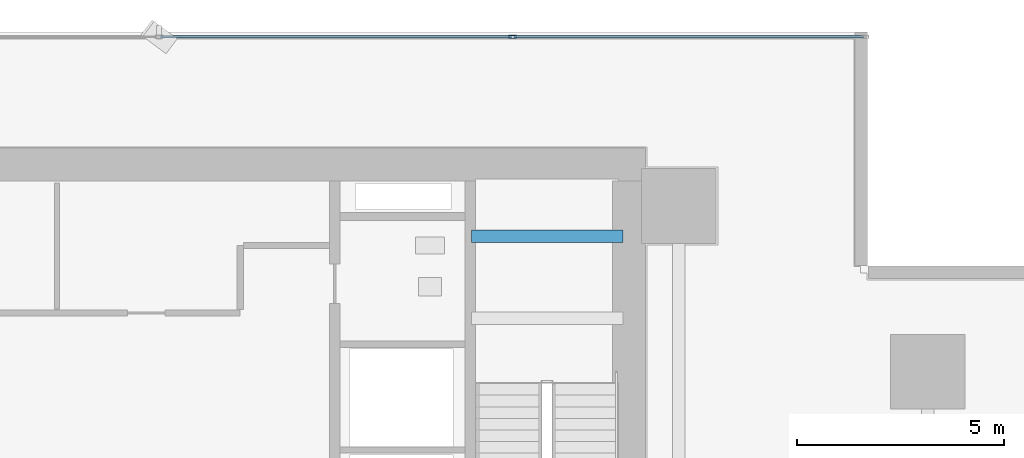
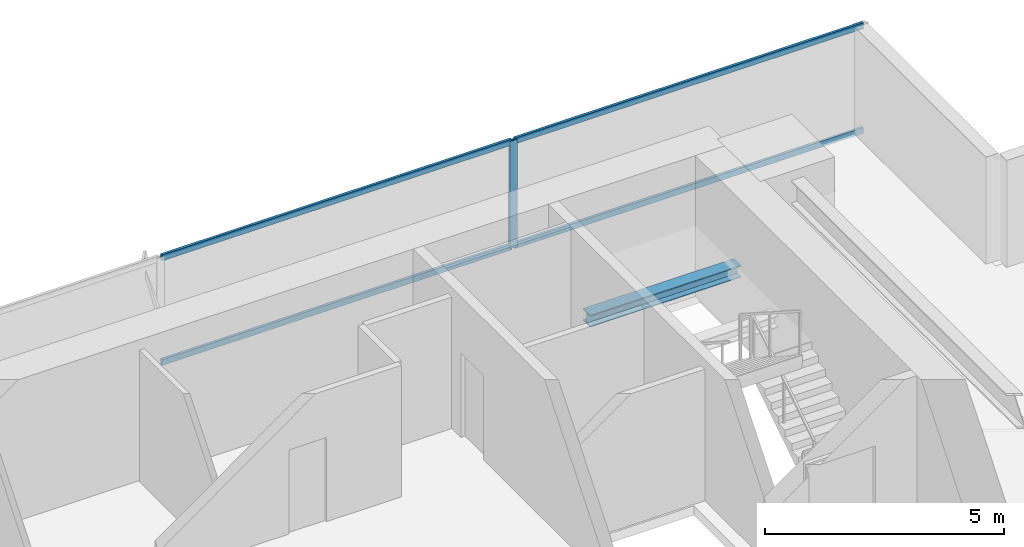
# One storey, part 22 of 34: 5 members, 1 beam, 1 element without a shape of its own.
"""IFC4 building model written with IfcOpenShell, lengths in metres."""

from ifc_helpers import new_model, si_unit, direction, frame, origin, origin_2d, place, context, subcontext, project, spatial, hollow_rectangle, i_section, extrude, source, transform, mapped, material, layer, layer_set, material_profile, profile_set, type_object, element, aggregate, save


model = new_model("IFC4")

# Units and contexts
model_context = context("Model", 3, precision=1e-05, world=origin(), true_north=direction((0.0, 1.0)))
body_context = subcontext(model_context, "Body", "Model", "MODEL_VIEW")
ifc_project = project(units=[si_unit("LENGTHUNIT", "METRE"), si_unit("AREAUNIT", "SQUARE_METRE"), si_unit("VOLUMEUNIT", "CUBIC_METRE"), si_unit("PLANEANGLEUNIT", "RADIAN"), si_unit("MASSUNIT", "GRAM", prefix="KILO")], contexts=[model_context])

# Site, building, storey
site_placement = place(None, origin())
site = spatial("IfcSite", under=ifc_project, at=site_placement, CompositionType="ELEMENT")
building_placement = place(site_placement, origin())
building = spatial("IfcBuilding", under=site, at=building_placement, Name="Sumidabori Civic Tower", CompositionType="ELEMENT")
storey_placement = place(building_placement, frame((0.0, 0.0, 34.39990234375)))
storey = spatial("IfcBuildingStorey", under=building, at=storey_placement, Name="L08", CompositionType="ELEMENT", Elevation=34.39990234375)

# Beam
ifc_material_1 = material(Name="Steel SN490", Category="steel")
ifc_material_profile_1 = material_profile(ifc_material_1, i_section(OverallWidth=0.300048828125, OverallDepth=0.300048828125, WebThickness=0.010986328125, FlangeThickness=0.01904296875, at=origin_2d()), Name="HE 300 B")
ifc_profile_set_1 = profile_set([ifc_material_profile_1], Name="Steel SN490")
beam_type = type_object("IfcBeamType", Name="BM-LDG-300", PredefinedType="BEAM", material=ifc_profile_set_1)
shared_shape_1 = source(origin(), body_context, "Body", "SweptSolid", [
    extrude(i_section(OverallWidth=0.300048828125, OverallDepth=0.300048828125, WebThickness=0.010986328125, FlangeThickness=0.01904296875, at=origin_2d()), origin(), (0.0, 0.0, 1.0), 3.64990234375),
])
beam_placement = place(storey_placement, frame((11.800048828125, 22.069580078125, 1.4501953125), z_axis=(1.0, 0.0, 0.0), x_axis=(0.0, 1.0, 0.0)))
element("IfcBeam", 1, at=beam_placement, inside=storey, type_object=beam_type, Name="Stair ST-2 Landing Trimmer Beam L08-1B", PredefinedType="BEAM", context=body_context, shape_type="MappedRepresentation", body=[
    mapped(shared_shape_1, transform((0.0, 0.0, 0.0), x_axis=(1.0, 0.0, 0.0), y_axis=(0.0, 1.0, 0.0), z_axis=(0.0, 0.0, 1.0), scale=1.0)),
])

# Curtain wall, members
ifc_material_2 = material(Name="Anodised Bronze Aluminium AW-6063-T6", Category="aluminium")
ifc_layer = layer(ifc_material_2, 0.179931640625, Name="Anodised Bronze Aluminium AW-6063-T6")
ifc_layer_set = layer_set([ifc_layer], Name="Anodised Bronze Aluminium AW-6063-T6")
curtain_wall_type = type_object("IfcCurtainWallType", Name="CW-SYS-2", PredefinedType="NOTDEFINED", material=ifc_layer_set)
curtain_wall_placement = place(storey_placement, origin())
curtain_wall = element("IfcCurtainWall", 2, at=curtain_wall_placement, inside=storey, type_object=curtain_wall_type, Name="Curtain Wall CW:L08:R07", PredefinedType="NOTDEFINED")
ifc_material_profile_2 = material_profile(ifc_material_2, hollow_rectangle(XDim=0.070068359375, YDim=0.179931640625, WallThickness=0.006103515625, at=origin_2d()), Name="ALU MULLION 180x70")
ifc_profile_set_2 = profile_set([ifc_material_profile_2], Name="Anodised Bronze Aluminium AW-6063-T6")
member_type_1 = type_object("IfcMemberType", Name="CW-MUL-180", PredefinedType="MULLION", material=ifc_profile_set_2)
shared_shape_2 = source(origin(), body_context, "Body", "SweptSolid", [
    extrude(hollow_rectangle(XDim=0.070068359375, YDim=0.179931640625, WallThickness=0.006103515625, at=origin_2d()), origin(), (0.0, 0.0, 1.0), 2.739990234375),
])
member_1_placement = place(storey_placement, frame((12.7919921875, 26.8798828125, 0.0), z_axis=(0.0, 0.0, 1.0), x_axis=(0.0, -1.0, 0.0)))
member_1 = element("IfcMember", 3, at=member_1_placement, type_object=member_type_1, Name="CW-2 mullion 2", PredefinedType="MULLION", context=body_context, shape_type="MappedRepresentation", body=[
    mapped(shared_shape_2, transform((0.0, 0.0, 0.0), x_axis=(1.0, 0.0, 0.0), y_axis=(0.0, 1.0, 0.0), z_axis=(0.0, 0.0, 1.0), scale=1.0)),
])
ifc_material_profile_3 = material_profile(ifc_material_2, hollow_rectangle(XDim=0.06494140625, YDim=0.14990234375, WallThickness=0.0048828125, at=origin_2d()), Name="ALU TRANSOM 150x65")
ifc_profile_set_3 = profile_set([ifc_material_profile_3], Name="Anodised Bronze Aluminium AW-6063-T6")
member_type_2 = type_object("IfcMemberType", Name="CW-TRN-150", PredefinedType="USERDEFINED", material=ifc_profile_set_3)
shared_shape_3 = source(origin(), body_context, "Body", "SweptSolid", [
    extrude(hollow_rectangle(XDim=0.06494140625, YDim=0.14990234375, WallThickness=0.0048828125, at=origin_2d()), origin(), (0.0, 0.0, 1.0), 8.423095703125),
])
member_2_placement = place(storey_placement, frame((21.25, 26.8798828125, 0.03271484375), z_axis=(-1.0, 0.0, 0.0), x_axis=(0.0, -1.0, 0.0)))
member_2 = element("IfcMember", 4, at=member_2_placement, type_object=member_type_2, Name="CW-2 transom 1.1", ObjectType="TRANSOM", PredefinedType="USERDEFINED", context=body_context, shape_type="MappedRepresentation", body=[
    mapped(shared_shape_3, transform((0.0, 0.0, 0.0), x_axis=(1.0, 0.0, 0.0), y_axis=(0.0, 1.0, 0.0), z_axis=(0.0, 0.0, 1.0), scale=1.0)),
])
member_3_placement = place(storey_placement, frame((21.25, 26.8798828125, 2.70751953125), z_axis=(-1.0, 0.0, 0.0), x_axis=(0.0, -1.0, 0.0)))
member_3 = element("IfcMember", 5, at=member_3_placement, type_object=member_type_2, Name="CW-2 transom 1.2", ObjectType="TRANSOM", PredefinedType="USERDEFINED", context=body_context, shape_type="MappedRepresentation", body=[
    mapped(shared_shape_3, transform((0.0, 0.0, 0.0), x_axis=(1.0, 0.0, 0.0), y_axis=(0.0, 1.0, 0.0), z_axis=(0.0, 0.0, 1.0), scale=1.0)),
])
shared_shape_4 = source(origin(), body_context, "Body", "SweptSolid", [
    extrude(hollow_rectangle(XDim=0.06494140625, YDim=0.14990234375, WallThickness=0.0048828125, at=origin_2d()), origin(), (0.0, 0.0, 1.0), 8.4580078125),
])
member_4_placement = place(storey_placement, frame((12.757080078125, 26.8798828125, 0.03271484375), z_axis=(-1.0, 0.0, 0.0), x_axis=(0.0, -1.0, 0.0)))
member_4 = element("IfcMember", 6, at=member_4_placement, type_object=member_type_2, Name="CW-2 transom 2.1", ObjectType="TRANSOM", PredefinedType="USERDEFINED", context=body_context, shape_type="MappedRepresentation", body=[
    mapped(shared_shape_4, transform((0.0, 0.0, 0.0), x_axis=(1.0, 0.0, 0.0), y_axis=(0.0, 1.0, 0.0), z_axis=(0.0, 0.0, 1.0), scale=1.0)),
])
member_5_placement = place(storey_placement, frame((12.757080078125, 26.8798828125, 2.70751953125), z_axis=(-1.0, 0.0, 0.0), x_axis=(0.0, -1.0, 0.0)))
member_5 = element("IfcMember", 7, at=member_5_placement, type_object=member_type_2, Name="CW-2 transom 2.2", ObjectType="TRANSOM", PredefinedType="USERDEFINED", context=body_context, shape_type="MappedRepresentation", body=[
    mapped(shared_shape_4, transform((0.0, 0.0, 0.0), x_axis=(1.0, 0.0, 0.0), y_axis=(0.0, 1.0, 0.0), z_axis=(0.0, 0.0, 1.0), scale=1.0)),
])
aggregate(curtain_wall, [member_1, member_2, member_3, member_4, member_5])

save(model, "model.ifc")
